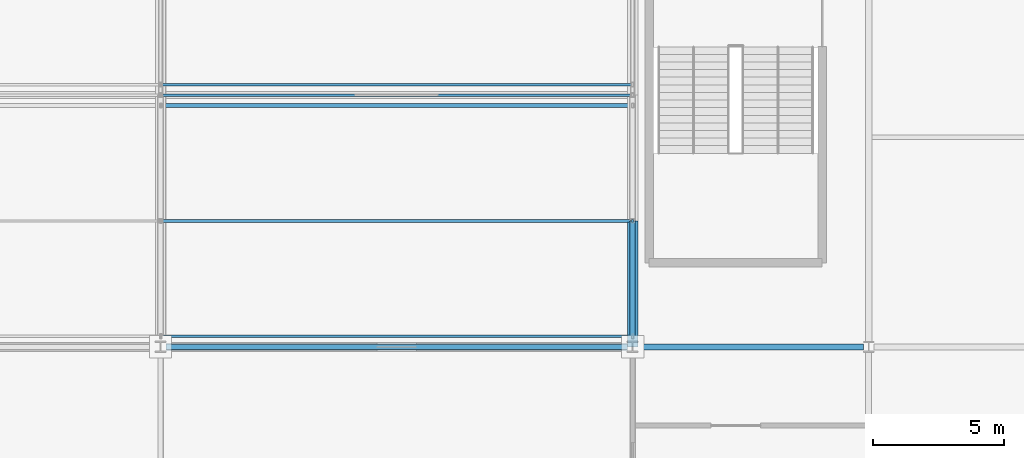
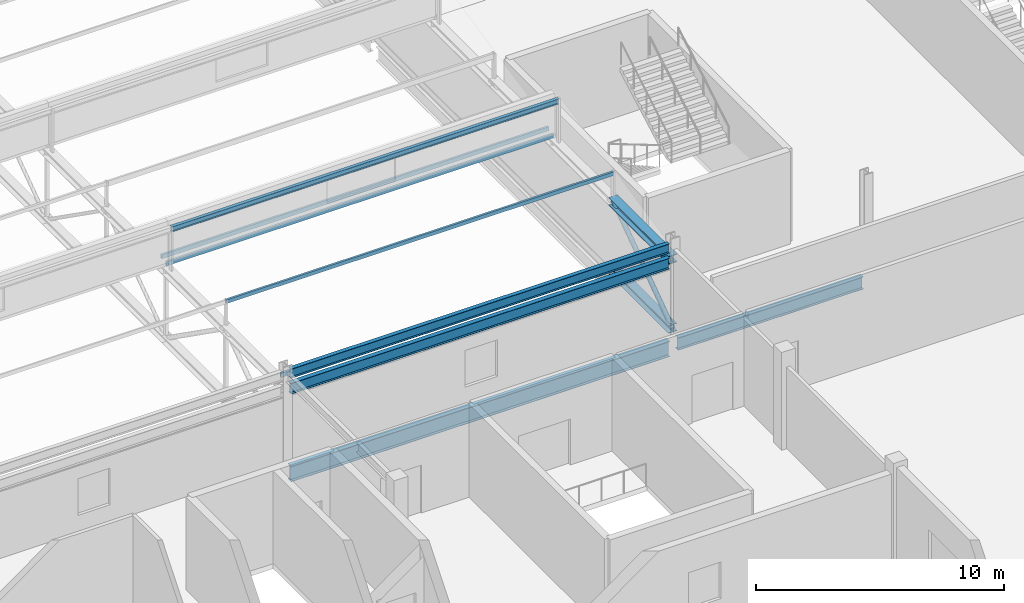
# One storey, part 62 of 136: 6 beams, 6 members.
"""IFC4 building model written with IfcOpenShell, lengths in metres."""

from ifc_helpers import new_model, si_unit, direction, frame, origin, origin_2d, place, context, subcontext, project, spatial, hollow_rectangle, hollow_circle, i_section, extrude, material, material_profile, profile_set, type_object, element, save


model = new_model("IFC4")

# Units and contexts
model_context = context("Model", 3, precision=1e-05, world=origin(), true_north=direction((0.0, 1.0)))
body_context = subcontext(model_context, "Body", "Model", "MODEL_VIEW")
ifc_project = project(units=[si_unit("LENGTHUNIT", "METRE"), si_unit("AREAUNIT", "SQUARE_METRE"), si_unit("VOLUMEUNIT", "CUBIC_METRE"), si_unit("PLANEANGLEUNIT", "RADIAN"), si_unit("MASSUNIT", "GRAM", prefix="KILO")], contexts=[model_context])

# Site, building, storey
site_placement = place(None, origin())
site = spatial("IfcSite", under=ifc_project, at=site_placement, CompositionType="ELEMENT")
building_placement = place(site_placement, origin())
building = spatial("IfcBuilding", under=site, at=building_placement, Name="Kisiwana Market Hall", CompositionType="ELEMENT")
storey_placement = place(building_placement, frame((0.0, 0.0, 16.800048828125)))
storey = spatial("IfcBuildingStorey", under=building, at=storey_placement, Name="L03", CompositionType="ELEMENT", Elevation=16.800048828125)

# Beams
ifc_material_1 = material(Name="Steel S355", Category="steel")
ifc_material_profile_1 = material_profile(ifc_material_1, i_section(OverallWidth=0.19140625, OverallDepth=0.4599609375, WebThickness=0.010009765625, FlangeThickness=0.01611328125, at=origin_2d()), Name="UB 457x191x82")
ifc_profile_set_1 = profile_set([ifc_material_profile_1], Name="Steel S355")
beam_type_1 = type_object("IfcBeamType", Name="BM-GIRD-UB457H", PredefinedType="BEAM", material=ifc_profile_set_1)
beam_1_placement = place(storey_placement, frame((135.201904296875, 36.0, 4.27783203125), z_axis=(1.0, 0.0, 0.0), x_axis=(0.0, 1.0, 0.0)))
element("IfcBeam", 1, at=beam_1_placement, inside=storey, type_object=beam_type_1, Name="Roof girder B-1144", PredefinedType="BEAM", context=body_context, shape_type="SweptSolid", body=[
    extrude(i_section(OverallWidth=0.19140625, OverallDepth=0.4599609375, WebThickness=0.010009765625, FlangeThickness=0.01611328125, at=origin_2d()), origin(), (0.0, 0.0, 1.0), 17.59619140625),
])
ifc_material_2 = material(Name="Steel S355", Category="steel")
ifc_material_profile_2 = material_profile(ifc_material_2, i_section(OverallWidth=0.209228515625, OverallDepth=0.533203125, WebThickness=0.010009765625, FlangeThickness=0.015625, at=origin_2d()), Name="UB 533x210x92")
ifc_profile_set_2 = profile_set([ifc_material_profile_2], Name="Steel S355")
beam_type_2 = type_object("IfcBeamType", Name="BM-GIRD-UB533", PredefinedType="BEAM", material=ifc_profile_set_2)
beam_2_placement = place(storey_placement, frame((135.199951171875, 36.0, 3.54345703125), z_axis=(1.0, 0.0, 0.0), x_axis=(0.0, 1.0, 0.0)))
element("IfcBeam", 2, at=beam_2_placement, inside=storey, type_object=beam_type_2, Name="Truss eaves tie B-1175", PredefinedType="BEAM", context=body_context, shape_type="SweptSolid", body=[
    extrude(i_section(OverallWidth=0.209228515625, OverallDepth=0.533203125, WebThickness=0.010009765625, FlangeThickness=0.015625, at=origin_2d()), origin(), (0.0, 0.0, 1.0), 17.60009765625),
])
ifc_material_3 = material(Name="Steel S355", Category="steel")
ifc_material_profile_3 = material_profile(ifc_material_3, i_section(OverallWidth=0.22900390625, OverallDepth=0.6123046875, WebThickness=0.011962890625, FlangeThickness=0.01953125, at=origin_2d()), Name="UB 610x229x125")
ifc_profile_set_3 = profile_set([ifc_material_profile_3], Name="Steel S355")
beam_type_3 = type_object("IfcBeamType", Name="BM-GIRD-UB610H", PredefinedType="BEAM", material=ifc_profile_set_3)
beam_3_placement = place(storey_placement, frame((153.201904296875, 36.0, -0.55615234375), z_axis=(1.0, 0.0, 0.0), x_axis=(0.0, 1.0, 0.0)))
element("IfcBeam", 3, at=beam_3_placement, inside=storey, type_object=beam_type_3, Name="Floor beam B-1019", PredefinedType="BEAM", context=body_context, shape_type="SweptSolid", body=[
    extrude(i_section(OverallWidth=0.22900390625, OverallDepth=0.6123046875, WebThickness=0.011962890625, FlangeThickness=0.01953125, at=origin_2d()), origin(), (0.0, 0.0, 1.0), 8.59912109375),
])
ifc_material_4 = material(Name="Steel S355", Category="steel")
ifc_material_profile_4 = material_profile(ifc_material_4, i_section(OverallWidth=0.2666015625, OverallDepth=0.76220703125, WebThickness=0.014404296875, FlangeThickness=0.021484375, at=origin_2d()), Name="UB 762x267x173")
ifc_profile_set_4 = profile_set([ifc_material_profile_4], Name="Steel S355")
beam_type_4 = type_object("IfcBeamType", Name="BM-GIRD-UB762", PredefinedType="BEAM", material=ifc_profile_set_4)
beam_4_placement = place(storey_placement, frame((135.201904296875, 36.0, -0.631103515625), z_axis=(1.0, 0.0, 0.0), x_axis=(0.0, 1.0, 0.0)))
element("IfcBeam", 4, at=beam_4_placement, inside=storey, type_object=beam_type_4, Name="Floor beam B-1018", PredefinedType="BEAM", context=body_context, shape_type="SweptSolid", body=[
    extrude(i_section(OverallWidth=0.2666015625, OverallDepth=0.76220703125, WebThickness=0.014404296875, FlangeThickness=0.021484375, at=origin_2d()), origin(), (0.0, 0.0, 1.0), 17.59619140625),
])
ifc_material_5 = material(Name="Steel S355", Category="steel")
ifc_material_profile_5 = material_profile(ifc_material_5, i_section(OverallWidth=0.394775390625, OverallDepth=0.381103515625, WebThickness=0.018310546875, FlangeThickness=0.0302734375, at=origin_2d()), Name="UC 356x406x235")
ifc_profile_set_5 = profile_set([ifc_material_profile_5], Name="Steel S355")
beam_type_5 = type_object("IfcBeamType", Name="BM-TRUSS-BOT", PredefinedType="USERDEFINED", material=ifc_profile_set_5)
beam_5_placement = place(storey_placement, frame((153.0, 36.0, 0.22998046875), z_axis=(0.0, 1.0, 0.0), x_axis=(-1.0, 0.0, 0.0)))
element("IfcBeam", 5, at=beam_5_placement, inside=storey, type_object=beam_type_5, Name="TR-08 BC panel 1 B-1317", ObjectType="ROOF TRUSS", PredefinedType="USERDEFINED", context=body_context, shape_type="SweptSolid", body=[
    extrude(i_section(OverallWidth=0.394775390625, OverallDepth=0.381103515625, WebThickness=0.018310546875, FlangeThickness=0.0302734375, at=origin_2d()), origin(), (0.0, 0.0, 1.0), 4.800048828125),
])
ifc_material_6 = material(Name="Steel S355", Category="steel")
ifc_material_profile_6 = material_profile(ifc_material_6, i_section(OverallWidth=0.39892578125, OverallDepth=0.3935546875, WebThickness=0.022705078125, FlangeThickness=0.03662109375, at=origin_2d()), Name="UC 356x406x287")
ifc_profile_set_6 = profile_set([ifc_material_profile_6], Name="Steel S355")
beam_type_6 = type_object("IfcBeamType", Name="BM-TRUSS-TOP", PredefinedType="USERDEFINED", material=ifc_profile_set_6)
beam_6_placement = place(storey_placement, frame((153.0, 36.0, 3.619873046875), z_axis=(0.0, 1.0, 0.0), x_axis=(-1.0, 0.0, 0.0)))
element("IfcBeam", 6, at=beam_6_placement, inside=storey, type_object=beam_type_6, Name="TR-08 TC panel 1 B-1327", ObjectType="ROOF TRUSS", PredefinedType="USERDEFINED", context=body_context, shape_type="SweptSolid", body=[
    extrude(i_section(OverallWidth=0.39892578125, OverallDepth=0.3935546875, WebThickness=0.022705078125, FlangeThickness=0.03662109375, at=origin_2d()), origin(), (0.0, 0.0, 1.0), 4.800048828125),
])

# Members
ifc_material_7 = material(Name="Steel S355", Category="steel")
ifc_material_profile_7 = material_profile(ifc_material_7, hollow_rectangle(XDim=0.10009765625, YDim=0.179931640625, WallThickness=0.008056640625, at=origin_2d()), Name="RHS 180x100x8")
ifc_profile_set_7 = profile_set([ifc_material_profile_7], Name="Steel S355")
member_type_1 = type_object("IfcMemberType", Name="MB-PURL-RHS180", PredefinedType="PURLIN", material=ifc_profile_set_7)
member_1_placement = place(storey_placement, frame((135.0, 40.800048828125, 4.9462890625), z_axis=(1.0, 0.0, 0.0), x_axis=(0.0, 1.0, 0.0)))
element("IfcMember", 7, at=member_1_placement, inside=storey, type_object=member_type_1, Name="Sawtooth mid-slope roof purlin 15 M-0097", PredefinedType="PURLIN", context=body_context, shape_type="SweptSolid", body=[
    extrude(hollow_rectangle(XDim=0.10009765625, YDim=0.179931640625, WallThickness=0.008056640625, at=origin_2d()), origin(), (0.0, 0.0, 1.0), 18.0),
])
ifc_material_8 = material(Name="Steel S355", Category="steel")
ifc_material_profile_8 = material_profile(ifc_material_8, hollow_rectangle(XDim=0.10009765625, YDim=0.199951171875, WallThickness=0.008056640625, at=origin_2d()), Name="RHS 200x100x8.0")
ifc_profile_set_8 = profile_set([ifc_material_profile_8], Name="Steel S355")
member_type_2 = type_object("IfcMemberType", Name="MB-ROOF-PURLIN1", PredefinedType="PURLIN", material=ifc_profile_set_8)
for number, where, z_axis, x_axis, name in (
    (8, (135.0, 36.39990234375, 4.0009765625), (1.0, 0.0, 0.0), (0.0, 1.0, 0.0), "Sawtooth roof purlin 195 M-0144"),
    (9, (135.0, 45.60009765625, 3.90087890625), (1.0, 0.0, 0.0), (0.0, 1.0, 0.0), "Sawtooth roof purlin 197 M-0146"),
    (10, (135.0, 46.0, 4.0009765625), (1.0, 0.0, 0.0), (0.0, 1.0, 0.0), "Sawtooth roof purlin 240 M-0165"),
):
    element("IfcMember", number, at=place(storey_placement, frame(where, z_axis=z_axis, x_axis=x_axis)), inside=storey, type_object=member_type_2, Name=name, PredefinedType="PURLIN", context=body_context, shape_type="SweptSolid", body=[
        extrude(hollow_rectangle(XDim=0.10009765625, YDim=0.199951171875, WallThickness=0.008056640625, at=origin_2d()), origin(), (0.0, 0.0, 1.0), 18.0),
    ])
ifc_material_9 = material(Name="Steel S355", Category="steel")
ifc_material_profile_9 = material_profile(ifc_material_9, i_section(OverallWidth=0.146484375, OverallDepth=0.256103515625, WebThickness=0.00634765625, FlangeThickness=0.010986328125, at=origin_2d()), Name="UB 254x146x37")
ifc_profile_set_9 = profile_set([ifc_material_profile_9], Name="Steel S355")
member_type_3 = type_object("IfcMemberType", Name="MB-ROOF-PURLIN2", PredefinedType="PURLIN", material=ifc_profile_set_9)
member_2_placement = place(storey_placement, frame((135.0, 45.199951171875, 5.843505859375), z_axis=(1.0, 0.0, 0.0), x_axis=(0.0, 1.0, 0.0)))
element("IfcMember", 11, at=member_2_placement, inside=storey, type_object=member_type_3, Name="Sawtooth roof purlin 196 M-0145", PredefinedType="PURLIN", context=body_context, shape_type="SweptSolid", body=[
    extrude(i_section(OverallWidth=0.146484375, OverallDepth=0.256103515625, WebThickness=0.00634765625, FlangeThickness=0.010986328125, at=origin_2d()), origin(), (0.0, 0.0, 1.0), 18.0),
])
ifc_material_10 = material(Name="Steel S355", Category="steel")
ifc_material_profile_10 = material_profile(ifc_material_10, hollow_circle(Radius=0.109619140625, WallThickness=0.012451171875, at=origin_2d()), Name="CHS 219.1x12.5")
ifc_profile_set_10 = profile_set([ifc_material_profile_10], Name="Steel S355")
member_type_4 = type_object("IfcMemberType", Name="MB-TR-DIAG219", PredefinedType="BRACE", material=ifc_profile_set_10)
member_3_placement = place(storey_placement, frame((153.0, 36.0, 0.22998046875), z_axis=(0.0, 0.816837735077, 0.576867501732), x_axis=(-1.0, 0.0, 0.0)))
element("IfcMember", 12, at=member_3_placement, inside=storey, type_object=member_type_4, Name="TR-08 diagonal 1 M-0468", PredefinedType="BRACE", context=body_context, shape_type="SweptSolid", body=[
    extrude(hollow_circle(Radius=0.109619140625, WallThickness=0.012451171875, at=origin_2d()), origin(), (0.0, 0.0, 1.0), 5.87646484375),
])

save(model, "model.ifc")
